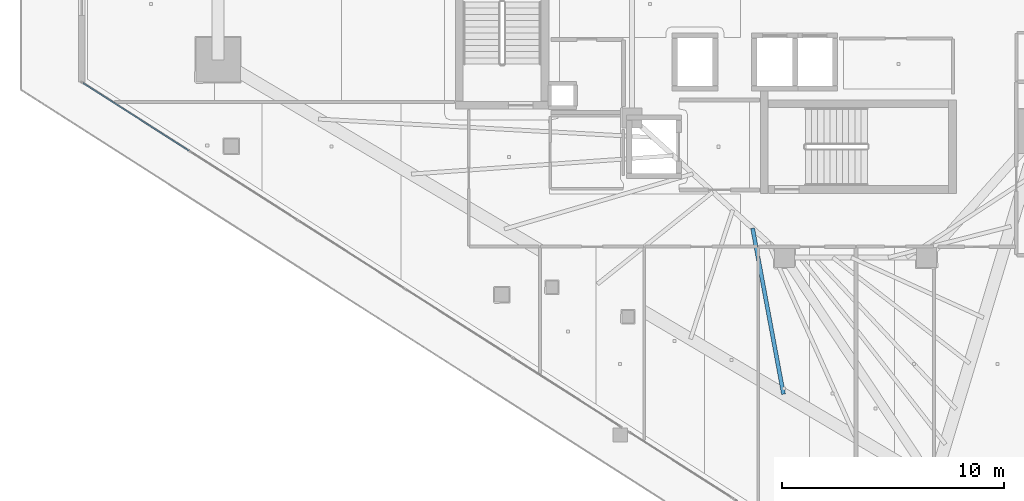
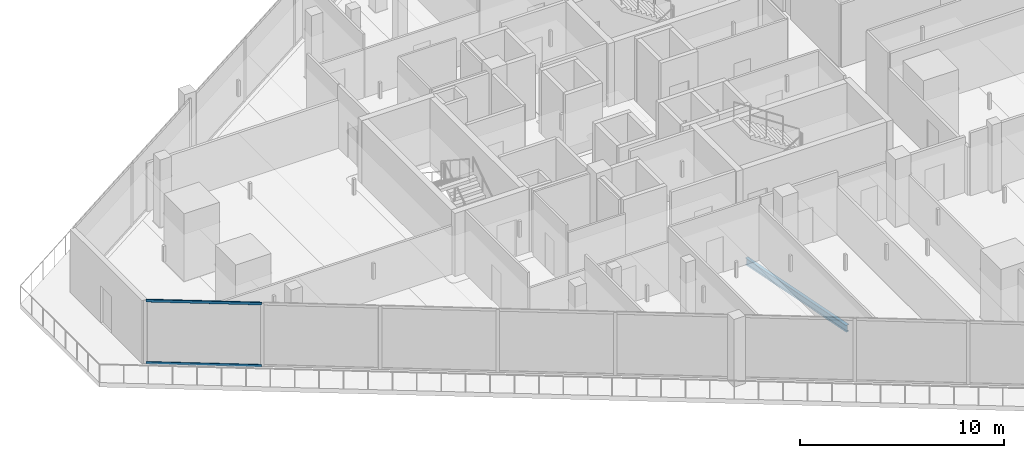
# One storey, part 5 of 37: 2 members, 1 beam, 1 element without a shape of its own.
"""IFC4 building model written with IfcOpenShell, lengths in metres."""

from ifc_helpers import new_model, si_unit, direction, frame, origin, origin_2d, place, context, subcontext, project, spatial, hollow_rectangle, i_section, extrude, material, layer, layer_set, material_profile, profile_set, type_object, element, aggregate, save


model = new_model("IFC4")

# Units and contexts
model_context = context("Model", 3, precision=1e-05, world=origin(), true_north=direction((0.0, 1.0)))
body_context = subcontext(model_context, "Body", "Model", "MODEL_VIEW")
ifc_project = project(units=[si_unit("LENGTHUNIT", "METRE"), si_unit("AREAUNIT", "SQUARE_METRE"), si_unit("VOLUMEUNIT", "CUBIC_METRE"), si_unit("PLANEANGLEUNIT", "RADIAN"), si_unit("MASSUNIT", "GRAM", prefix="KILO")], contexts=[model_context])

# Site, building, storey
site_placement = place(None, origin())
site = spatial("IfcSite", under=ifc_project, at=site_placement, CompositionType="ELEMENT")
building_placement = place(site_placement, origin())
building = spatial("IfcBuilding", under=site, at=building_placement, Name="Qorvath Tower", CompositionType="ELEMENT")
storey_placement = place(building_placement, frame((0.0, 0.0, 188.85009765625)))
storey = spatial("IfcBuildingStorey", under=building, at=storey_placement, Name="L43", CompositionType="ELEMENT", Elevation=188.85009765625)

# Beam
ifc_material_1 = material(Name="Steel ASTM A992 Grade 50", Category="steel")
ifc_material_profile_1 = material_profile(ifc_material_1, i_section(OverallWidth=0.177978515625, OverallDepth=0.406005859375, WebThickness=0.0078125, FlangeThickness=0.0126953125, FilletRadius=0.010986328125, at=origin_2d()), Name="W16x40")
ifc_profile_set_1 = profile_set([ifc_material_profile_1], Name="Steel ASTM A992 Grade 50")
beam_type = type_object("IfcBeamType", Name="BM-FJ3", PredefinedType="JOIST", material=ifc_profile_set_1)
beam_placement = place(storey_placement, frame((-25.049072265625, -10.126953125, -0.472900390625), z_axis=(0.183026775988, -0.983107928598, 0.0), x_axis=(0.983107928598, 0.183026775988, 0.0)))
element("IfcBeam", 1, at=beam_placement, inside=storey, type_object=beam_type, Name="Composite Floor Joist SW6 L43", PredefinedType="JOIST", context=body_context, shape_type="SweptSolid", body=[
    extrude(i_section(OverallWidth=0.177978515625, OverallDepth=0.406005859375, WebThickness=0.0078125, FlangeThickness=0.0126953125, FilletRadius=0.010986328125, at=origin_2d()), origin(), (0.0, 0.0, 1.0), 7.617919921875),
])

# Curtain wall, members
ifc_material_2 = material(Name="Anodised aluminium and triple low-E glass", Category="aluminium")
ifc_layer = layer(ifc_material_2, 0.179931640625)
ifc_layer_set = layer_set([ifc_layer], Name="CW-SYS-3")
curtain_wall_type = type_object("IfcCurtainWallType", Name="CW-SYS-3", PredefinedType="NOTDEFINED", material=ifc_layer_set)
curtain_wall_placement = place(storey_placement, origin())
curtain_wall = element("IfcCurtainWall", 2, at=curtain_wall_placement, inside=storey, type_object=curtain_wall_type, Name="Curtain Wall CW-3 CW-T-L43-2.1", PredefinedType="NOTDEFINED")
ifc_material_3 = material(Name="Anodised aluminium 6063-T6", Category="aluminium")
ifc_material_profile_2 = material_profile(ifc_material_3, hollow_rectangle(XDim=0.06494140625, YDim=0.159912109375, WallThickness=0.00341796875, InnerFilletRadius=0.00341796875, OuterFilletRadius=0.007080078125, at=origin_2d()), Name="CWT 160x65")
ifc_profile_set_2 = profile_set([ifc_material_profile_2], Name="Anodised aluminium 6063-T6")
member_type = type_object("IfcMemberType", Name="CWT-160", PredefinedType="USERDEFINED", material=ifc_profile_set_2)
member_1_placement = place(storey_placement, frame((-55.273193359375, -3.57470703125, 0.032470703125), z_axis=(0.84261171188, -0.538521590099, 0.0), x_axis=(0.538521590099, 0.84261171188, 0.0)))
member_1 = element("IfcMember", 3, at=member_1_placement, type_object=member_type, Name="CW-3 transom 1.1", ObjectType="TRANSOM", PredefinedType="USERDEFINED", context=body_context, shape_type="SweptSolid", body=[
    extrude(hollow_rectangle(XDim=0.06494140625, YDim=0.159912109375, WallThickness=0.00341796875, InnerFilletRadius=0.00341796875, OuterFilletRadius=0.007080078125, at=origin_2d()), origin(), (0.0, 0.0, 1.0), 5.677734375),
])
member_2_placement = place(storey_placement, frame((-55.273193359375, -3.57470703125, 3.747314453125), z_axis=(0.84261171188, -0.538521590099, 0.0), x_axis=(0.538521590099, 0.84261171188, 0.0)))
member_2 = element("IfcMember", 4, at=member_2_placement, type_object=member_type, Name="CW-3 transom 1.2", ObjectType="TRANSOM", PredefinedType="USERDEFINED", context=body_context, shape_type="SweptSolid", body=[
    extrude(hollow_rectangle(XDim=0.06494140625, YDim=0.159912109375, WallThickness=0.00341796875, InnerFilletRadius=0.00341796875, OuterFilletRadius=0.007080078125, at=origin_2d()), origin(), (0.0, 0.0, 1.0), 5.677734375),
])
aggregate(curtain_wall, [member_1, member_2])

save(model, "model.ifc")
